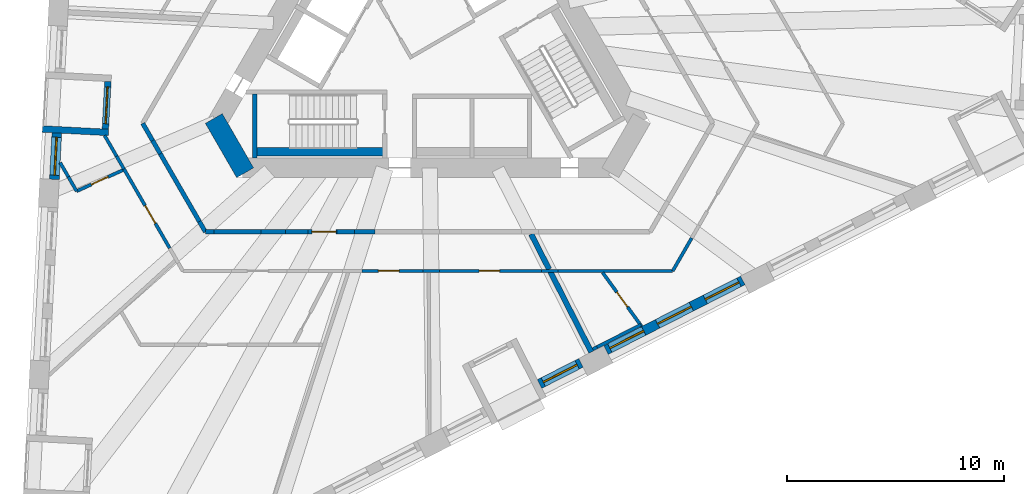
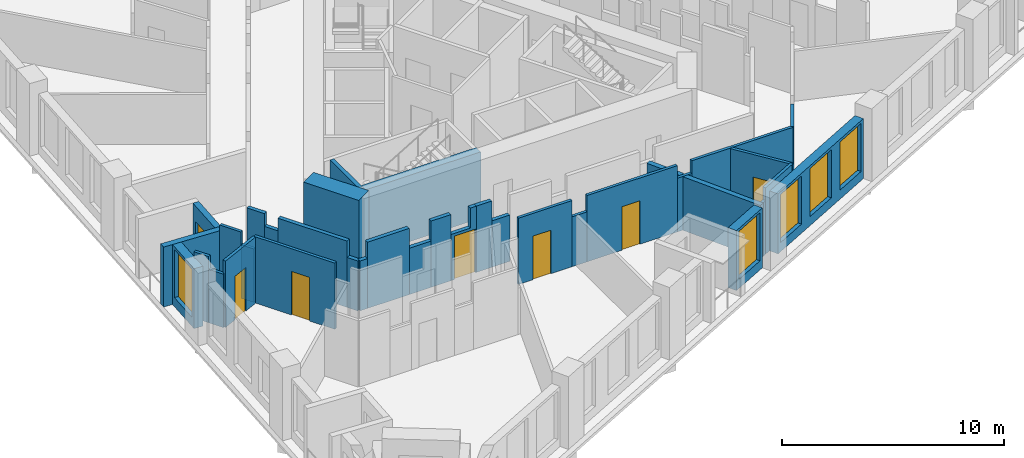
# One storey, part 3 of 12: 36 walls, 7 doors, 5 windows, 12 openings.
"""IFC4 building model written with IfcOpenShell, lengths in metres."""

from ifc_helpers import new_model, si_unit, direction, frame, frame_2d, origin, place, context, subcontext, project, spatial, polyline, rectangle, outline, extrude, material, layer, layer_set, type_object, element, fill, save


model = new_model("IFC4")

# Units and contexts
model_context = context("Model", 3, precision=1e-05, world=origin(), true_north=direction((0.0, 1.0)))
body_context = subcontext(model_context, "Body", "Model", "MODEL_VIEW")
ifc_project = project(units=[si_unit("LENGTHUNIT", "METRE"), si_unit("AREAUNIT", "SQUARE_METRE"), si_unit("VOLUMEUNIT", "CUBIC_METRE"), si_unit("PLANEANGLEUNIT", "RADIAN"), si_unit("MASSUNIT", "GRAM", prefix="KILO")], contexts=[model_context])

# Site, building, storey
site_placement = place(None, origin())
site = spatial("IfcSite", under=ifc_project, at=site_placement, CompositionType="ELEMENT")
building_placement = place(site_placement, origin())
building = spatial("IfcBuilding", under=site, at=building_placement, Name="Tramontana Tower", CompositionType="ELEMENT")
storey_placement = place(building_placement, frame((0.0, 0.0, 129.60009765625)))
storey = spatial("IfcBuildingStorey", under=building, at=storey_placement, Name="L29", CompositionType="ELEMENT", Elevation=129.60009765625)

# Walls
ifc_material_1 = material(Name="Concrete 70 MPa", Category="concrete")
ifc_layer_1 = layer(ifc_material_1, 0.89990234375)
ifc_layer_set_1 = layer_set([ifc_layer_1], Name="Core wall 900 70 MPa")
wall_type_1 = type_object("IfcWallType", Name="Core wall 900 70 MPa", PredefinedType="SHEAR", material=ifc_layer_set_1)
wall_1_placement = place(storey_placement, frame((-9.8583984375, -4.02490234375, 0.0), z_axis=(0.0, 0.0, 1.0), x_axis=(0.500059191753, -0.865991226713, 0.0)))
element("IfcWall", 1, at=wall_1_placement, inside=storey, type_object=wall_type_1, Name="Core wall C2 L29", PredefinedType="SHEAR", context=body_context, shape_type="SweptSolid", body=[
    extrude(rectangle(XDim=2.886962890625, YDim=0.89990234375, at=frame_2d((1.443359375, 0.0))), origin(), (0.0, 0.0, 1.0), 4.0),
])
ifc_material_2 = material(Name="Blockwork", Category="masonry")
ifc_layer_2 = layer(ifc_material_2, 0.199951171875)
ifc_layer_set_2 = layer_set([ifc_layer_2], Name="ENTRY WALL 200")
wall_type_2 = type_object("IfcWallType", Name="ENTRY WALL 200", PredefinedType="SOLIDWALL", material=ifc_layer_set_2)
wall_2_placement = place(storey_placement, frame((-2.441162109375, -9.25, 0.0), z_axis=(0.0, 0.0, 1.0), x_axis=(-1.0, 0.0, 0.0)))
element("IfcWall", 2, at=wall_2_placement, inside=storey, type_object=wall_type_2, Name="Wall v30-ew2-5", PredefinedType="SOLIDWALL", context=body_context, shape_type="SweptSolid", body=[
    extrude(rectangle(XDim=0.943603515625, YDim=0.199951171875, at=frame_2d((0.4716796875, 0.0))), origin(), (0.0, 0.0, 1.0), 2.5498046875),
])
wall_3_placement = place(storey_placement, frame((-3.384765625, -9.25, 0.0), z_axis=(0.0, 0.0, 1.0), x_axis=(-1.0, 0.0, 0.0)))
element("IfcWall", 3, at=wall_3_placement, inside=storey, type_object=wall_type_2, Name="Wall v30-ew2-6", PredefinedType="SOLIDWALL", context=body_context, shape_type="SweptSolid", body=[
    extrude(rectangle(XDim=0.80078125, YDim=0.199951171875, at=frame_2d((0.400390625, 0.0))), origin(), (0.0, 0.0, 1.0), 3.64990234375),
])

# Wall, opening, door
wall_4_placement = place(storey_placement, frame((-5.522216796875, -9.25, 0.0), z_axis=(0.0, 0.0, 1.0), x_axis=(1.0, 0.0, 0.0)))
wall_4 = element("IfcWall", 4, at=wall_4_placement, inside=storey, type_object=wall_type_2, Name="Wall v30-ew2-7", PredefinedType="SOLIDWALL", context=body_context, shape_type="SweptSolid", body=[
    extrude(outline(polyline([(0.0, 0.0), (1.336669921875, 0.0), (1.336669921875, 3.64990234375), (1.0234375, 3.64990234375), (1.0234375, 2.5498046875), (0.0, 2.5498046875), (0.0, 0.0)])), frame((0.0, 0.10009765625, 0.0), z_axis=(0.0, -1.0, 0.0), x_axis=(1.0, 0.0, 0.0)), (0.0, 0.0, 1.0), 0.199951171875),
])
opening_1_placement = place(wall_4_placement, frame((0.186767578125, 0.0, 0.0)))
opening_1 = element("IfcOpeningElement", 5, at=opening_1_placement, cuts=wall_4, Name="Opening B3A-23", PredefinedType="OPENING", context=body_context, shape_type="SweptSolid", body=[
    extrude(rectangle(XDim=1.10009765625, YDim=2.39990234375, at=frame_2d((0.550048828125, 1.199951171875))), frame((0.0, 0.10986328125, 0.0), z_axis=(0.0, -1.0, 0.0), x_axis=(1.0, 0.0, 0.0)), (0.0, 0.0, 1.0), 0.219970703125),
])
ifc_material_3 = material(Name="Painted timber", Category="wood")
door_type_1 = type_object("IfcDoorType", Name="DOOR ENTRY 1100", OperationType="SINGLE_SWING_LEFT", PredefinedType="DOOR", material=ifc_material_3)
door_1_placement = place(opening_1_placement, origin())
door_1 = element("IfcDoor", 6, at=door_1_placement, inside=storey, type_object=door_type_1, Name="Door B3A-23", OperationType="SINGLE_SWING_LEFT", OverallHeight=2.39990234375, OverallWidth=1.10009765625, PredefinedType="DOOR", context=body_context, shape_type="SweptSolid", body=[
    extrude(rectangle(XDim=1.10009765625, YDim=2.39990234375, at=frame_2d((0.550048828125, 1.199951171875))), frame((0.0, 0.02490234375, 0.0), z_axis=(0.0, -1.0, 0.0), x_axis=(1.0, 0.0, 0.0)), (0.0, 0.0, 1.0), 0.050048828125),
])
fill(opening_1, door_1)

# Walls
wall_5_placement = place(storey_placement, frame((-5.522216796875, -9.25, 0.0), z_axis=(0.0, 0.0, 1.0), x_axis=(-1.0, 0.0, 0.0)))
element("IfcWall", 7, at=wall_5_placement, inside=storey, type_object=wall_type_2, Name="Wall v30-ew2-8", PredefinedType="SOLIDWALL", context=body_context, shape_type="SweptSolid", body=[
    extrude(rectangle(XDim=1.0224609375, YDim=0.199951171875, at=frame_2d((0.51123046875, 0.0))), origin(), (0.0, 0.0, 1.0), 3.64990234375),
])
wall_6_placement = place(storey_placement, frame((-6.544677734375, -9.25, 0.0), z_axis=(0.0, 0.0, 1.0), x_axis=(-1.0, 0.0, 0.0)))
element("IfcWall", 8, at=wall_6_placement, inside=storey, type_object=wall_type_2, Name="Wall v30-ew2-9", PredefinedType="SOLIDWALL", context=body_context, shape_type="SweptSolid", body=[
    extrude(rectangle(XDim=1.13525390625, YDim=0.199951171875, at=frame_2d((0.567626953125, 0.0))), origin(), (0.0, 0.0, 1.0), 2.5498046875),
])
wall_7_placement = place(storey_placement, frame((-7.679931640625, -9.25, 0.0), z_axis=(0.0, 0.0, 1.0), x_axis=(-1.0, 0.0, 0.0)))
element("IfcWall", 9, at=wall_7_placement, inside=storey, type_object=wall_type_2, Name="Wall v30-ew2-10", PredefinedType="SOLIDWALL", context=body_context, shape_type="SweptSolid", body=[
    extrude(rectangle(XDim=2.1787109375, YDim=0.199951171875, at=frame_2d((1.08935546875, 0.0))), origin(), (0.0, 0.0, 1.0), 3.64990234375),
])
wall_8_placement = place(storey_placement, frame((-9.858642578125, -9.25, 0.0), z_axis=(0.0, 0.0, 1.0), x_axis=(-1.0, 0.0, 0.0)))
element("IfcWall", 10, at=wall_8_placement, inside=storey, type_object=wall_type_2, Name="Wall v30-ew2-11", PredefinedType="SOLIDWALL", context=body_context, shape_type="SweptSolid", body=[
    extrude(rectangle(XDim=0.389404296875, YDim=0.199951171875, at=frame_2d((0.19482421875, 0.0))), origin(), (0.0, 0.0, 1.0), 2.75),
])
wall_9_placement = place(storey_placement, frame((-10.248046875, -9.25, 0.0), z_axis=(0.0, 0.0, 1.0), x_axis=(-0.499887958344, 0.866090081402, 0.0)))
element("IfcWall", 11, at=wall_9_placement, inside=storey, type_object=wall_type_2, Name="Wall v30-ew3-0", PredefinedType="SOLIDWALL", context=body_context, shape_type="SweptSolid", body=[
    extrude(rectangle(XDim=0.553466796875, YDim=0.199951171875, at=frame_2d((0.27685546875, 0.0))), origin(), (0.0, 0.0, 1.0), 2.75),
])
wall_10_placement = place(storey_placement, frame((-10.524658203125, -8.770751953125, 0.0), z_axis=(0.0, 0.0, 1.0), x_axis=(-0.500031425827, 0.866007259314, 0.0)))
element("IfcWall", 12, at=wall_10_placement, inside=storey, type_object=wall_type_2, Name="Wall v30-ew3-1", PredefinedType="SOLIDWALL", context=body_context, shape_type="SweptSolid", body=[
    extrude(rectangle(XDim=3.602294921875, YDim=0.199951171875, at=frame_2d((1.80126953125, 0.0))), origin(), (0.0, 0.0, 1.0), 3.64990234375),
])
wall_11_placement = place(storey_placement, frame((-12.325927734375, -5.651123046875, 0.0), z_axis=(0.0, 0.0, 1.0), x_axis=(-0.499752435038, 0.86616828831, 0.0)))
element("IfcWall", 13, at=wall_11_placement, inside=storey, type_object=wall_type_2, Name="Wall v30-ew3-2", PredefinedType="SOLIDWALL", context=body_context, shape_type="SweptSolid", body=[
    extrude(rectangle(XDim=0.704833984375, YDim=0.199951171875, at=frame_2d((0.3525390625, 0.0))), origin(), (0.0, 0.0, 1.0), 2.949951171875),
])
wall_12_placement = place(storey_placement, frame((-12.67822265625, -5.04052734375, 0.0), z_axis=(0.0, 0.0, 1.0), x_axis=(-0.500108273885, 0.865962882802, 0.0)))
element("IfcWall", 14, at=wall_12_placement, inside=storey, type_object=wall_type_2, Name="Wall v30-ew3-3", PredefinedType="SOLIDWALL", context=body_context, shape_type="SweptSolid", body=[
    extrude(rectangle(XDim=0.912841796875, YDim=0.199951171875, at=frame_2d((0.45654296875, 0.0))), origin(), (0.0, 0.0, 1.0), 3.64990234375),
])

# Wall, opening, window
ifc_material_4 = material(Name="Precast concrete 60 MPa", Category="concrete")
ifc_layer_3 = layer(ifc_material_4, 0.449951171875)
ifc_layer_set_3 = layer_set([ifc_layer_3], Name="Precast concrete 60 MPa, 450 mm")
wall_type_3 = type_object("IfcWallType", Name="EW1 Stone-faced precast wall 450", PredefinedType="SOLIDWALL", material=ifc_layer_set_3)
wall_13_placement = place(storey_placement, frame((-17.093994140625, -4.69287109375, 0.0), z_axis=(0.0, 0.0, 1.0), x_axis=(-0.052355281723, -0.998628521762, 0.0)))
wall_13 = element("IfcWall", 15, at=wall_13_placement, inside=storey, type_object=wall_type_3, Name="External wall L29 face 0 bay 4", PredefinedType="SOLIDWALL", context=body_context, shape_type="SweptSolid", body=[
    extrude(rectangle(XDim=2.140380859375, YDim=0.449951171875, at=frame_2d((1.0703125, 0.0))), origin(), (0.0, 0.0, 1.0), 3.2998046875),
])
opening_2_placement = place(wall_13_placement, frame((0.1953125, 0.0, 0.5)))
opening_2 = element("IfcOpeningElement", 16, at=opening_2_placement, cuts=wall_13, Name="Opening M2", PredefinedType="OPENING", context=body_context, shape_type="SweptSolid", body=[
    extrude(rectangle(XDim=1.75, YDim=2.64990234375, at=frame_2d((0.875, 1.324951171875))), frame((0.0, 0.23486328125, 0.0), z_axis=(0.0, -1.0, 0.0), x_axis=(1.0, 0.0, 0.0)), (0.0, 0.0, 1.0), 0.469970703125),
])
ifc_material_5 = material(Name="Aluminum frame, double glazing unit", Category="aluminium")
window_type = type_object("IfcWindowType", Name="M2 Window 1.75 x 2.65", PartitioningType="SINGLE_PANEL", PredefinedType="WINDOW", material=ifc_material_5)
window_1_placement = place(opening_2_placement, origin())
window_1 = element("IfcWindow", 17, at=window_1_placement, inside=storey, type_object=window_type, Name="Window M2 L29 face 0 module 12", OverallHeight=2.64990234375, OverallWidth=1.75, PartitioningType="SINGLE_PANEL", PredefinedType="WINDOW", context=body_context, shape_type="SweptSolid", body=[
    extrude(rectangle(XDim=1.75, YDim=2.64990234375, at=frame_2d((0.875, 1.324951171875))), frame((0.0, 0.030029296875, 0.0), z_axis=(0.0, -1.0, 0.0), x_axis=(1.0, 0.0, 0.0)), (0.0, 0.0, 1.0), 0.06005859375),
])
fill(opening_2, window_1)

wall_14_placement = place(storey_placement, frame((5.152099609375, -16.258056640625, 0.0), z_axis=(0.0, 0.0, 1.0), x_axis=(0.891025569559, 0.453953119156, 0.0)))
wall_14 = element("IfcWall", 18, at=wall_14_placement, inside=storey, type_object=wall_type_3, Name="External wall L29 face 1 bay 3", PredefinedType="SOLIDWALL", context=body_context, shape_type="SweptSolid", body=[
    extrude(rectangle(XDim=2.140380859375, YDim=0.449951171875, at=frame_2d((1.0703125, 0.0))), origin(), (0.0, 0.0, 1.0), 3.2998046875),
])
opening_3_placement = place(wall_14_placement, frame((0.1953125, 0.0, 0.5)))
opening_3 = element("IfcOpeningElement", 19, at=opening_3_placement, cuts=wall_14, Name="Opening M2", PredefinedType="OPENING", context=body_context, shape_type="SweptSolid", body=[
    extrude(rectangle(XDim=1.75, YDim=2.64990234375, at=frame_2d((0.875, 1.324951171875))), frame((0.0, 0.23486328125, 0.0), z_axis=(0.0, -1.0, 0.0), x_axis=(1.0, 0.0, 0.0)), (0.0, 0.0, 1.0), 0.469970703125),
])
window_2_placement = place(opening_3_placement, origin())
window_2 = element("IfcWindow", 20, at=window_2_placement, inside=storey, type_object=window_type, Name="Window M2 L29 face 1 module 9", OverallHeight=2.64990234375, OverallWidth=1.75, PartitioningType="SINGLE_PANEL", PredefinedType="WINDOW", context=body_context, shape_type="SweptSolid", body=[
    extrude(rectangle(XDim=1.75, YDim=2.64990234375, at=frame_2d((0.875, 1.324951171875))), frame((0.0, 0.030029296875, 0.0), z_axis=(0.0, -1.0, 0.0), x_axis=(1.0, 0.0, 0.0)), (0.0, 0.0, 1.0), 0.06005859375),
])
fill(opening_3, window_2)

# Wall, openings, windows
wall_15_placement = place(storey_placement, frame((8.217529296875, -14.696044921875, 0.0), z_axis=(0.0, 0.0, 1.0), x_axis=(0.891004189171, 0.45399508244, 0.0)))
wall_15 = element("IfcWall", 21, at=wall_15_placement, inside=storey, type_object=wall_type_3, Name="External wall L29 face 1 bay 4", PredefinedType="SOLIDWALL", context=body_context, shape_type="SweptSolid", body=[
    extrude(rectangle(XDim=7.071533203125, YDim=0.449951171875, at=frame_2d((3.53564453125, 0.0))), origin(), (0.0, 0.0, 1.0), 3.2998046875),
])
opening_4_placement = place(wall_15_placement, frame((0.1953125, 0.0, 0.5)))
opening_4 = element("IfcOpeningElement", 22, at=opening_4_placement, cuts=wall_15, Name="Opening M2", PredefinedType="OPENING", context=body_context, shape_type="SweptSolid", body=[
    extrude(rectangle(XDim=1.75, YDim=2.64990234375, at=frame_2d((0.875, 1.324951171875))), frame((0.0, 0.23486328125, 0.0), z_axis=(0.0, -1.0, 0.0), x_axis=(1.0, 0.0, 0.0)), (0.0, 0.0, 1.0), 0.469970703125),
])
opening_5_placement = place(wall_15_placement, frame((2.660888671875, 0.0, 0.5)))
opening_5 = element("IfcOpeningElement", 23, at=opening_5_placement, cuts=wall_15, Name="Opening M2", PredefinedType="OPENING", context=body_context, shape_type="SweptSolid", body=[
    extrude(rectangle(XDim=1.75, YDim=2.64990234375, at=frame_2d((0.875, 1.324951171875))), frame((0.0, 0.23486328125, 0.0), z_axis=(0.0, -1.0, 0.0), x_axis=(1.0, 0.0, 0.0)), (0.0, 0.0, 1.0), 0.469970703125),
])
opening_6_placement = place(wall_15_placement, frame((5.126220703125, 0.0, 0.5)))
opening_6 = element("IfcOpeningElement", 24, at=opening_6_placement, cuts=wall_15, Name="Opening M2", PredefinedType="OPENING", context=body_context, shape_type="SweptSolid", body=[
    extrude(rectangle(XDim=1.75, YDim=2.64990234375, at=frame_2d((0.875, 1.324951171875))), frame((0.0, 0.23486328125, 0.0), z_axis=(0.0, -1.0, 0.0), x_axis=(1.0, 0.0, 0.0)), (0.0, 0.0, 1.0), 0.469970703125),
])
window_3_placement = place(opening_4_placement, origin())
window_3 = element("IfcWindow", 25, at=window_3_placement, inside=storey, type_object=window_type, Name="Window M2 L29 face 1 module 10", OverallHeight=2.64990234375, OverallWidth=1.75, PartitioningType="SINGLE_PANEL", PredefinedType="WINDOW", context=body_context, shape_type="SweptSolid", body=[
    extrude(rectangle(XDim=1.75, YDim=2.64990234375, at=frame_2d((0.875, 1.324951171875))), frame((0.0, 0.030029296875, 0.0), z_axis=(0.0, -1.0, 0.0), x_axis=(1.0, 0.0, 0.0)), (0.0, 0.0, 1.0), 0.06005859375),
])
fill(opening_4, window_3)
window_4_placement = place(opening_5_placement, origin())
window_4 = element("IfcWindow", 26, at=window_4_placement, inside=storey, type_object=window_type, Name="Window M2 L29 face 1 module 11", OverallHeight=2.64990234375, OverallWidth=1.75, PartitioningType="SINGLE_PANEL", PredefinedType="WINDOW", context=body_context, shape_type="SweptSolid", body=[
    extrude(rectangle(XDim=1.75, YDim=2.64990234375, at=frame_2d((0.875, 1.324951171875))), frame((0.0, 0.030029296875, 0.0), z_axis=(0.0, -1.0, 0.0), x_axis=(1.0, 0.0, 0.0)), (0.0, 0.0, 1.0), 0.06005859375),
])
fill(opening_5, window_4)
window_5_placement = place(opening_6_placement, origin())
window_5 = element("IfcWindow", 27, at=window_5_placement, inside=storey, type_object=window_type, Name="Window M2 L29 face 1 module 12", OverallHeight=2.64990234375, OverallWidth=1.75, PartitioningType="SINGLE_PANEL", PredefinedType="WINDOW", context=body_context, shape_type="SweptSolid", body=[
    extrude(rectangle(XDim=1.75, YDim=2.64990234375, at=frame_2d((0.875, 1.324951171875))), frame((0.0, 0.030029296875, 0.0), z_axis=(0.0, -1.0, 0.0), x_axis=(1.0, 0.0, 0.0)), (0.0, 0.0, 1.0), 0.06005859375),
])
fill(opening_6, window_5)

# Wall, opening, door
ifc_material_6 = material(Name="Precast concrete 60 MPa", Category="concrete")
ifc_layer_4 = layer(ifc_material_6, 0.300048828125)
ifc_layer_set_4 = layer_set([ifc_layer_4], Name="LW1 Stone-faced loggia wall 300")
wall_type_4 = type_object("IfcWallType", Name="LW1 Stone-faced loggia wall 300", PredefinedType="SOLIDWALL", material=ifc_layer_set_4)
wall_16_placement = place(storey_placement, frame((-14.74169921875, -2.322265625, 0.0), z_axis=(0.0, 0.0, 1.0), x_axis=(-0.052383338583, -0.998627050424, 0.0)))
wall_16 = element("IfcWall", 28, at=wall_16_placement, inside=storey, type_object=wall_type_4, Name="Loggia wall L29 G3S0.10", PredefinedType="SOLIDWALL", context=body_context, shape_type="SweptSolid", body=[
    extrude(rectangle(XDim=2.1904296875, YDim=0.300048828125, at=frame_2d((1.09521484375, 0.0))), origin(), (0.0, 0.0, 1.0), 3.2998046875),
])
opening_7_placement = place(wall_16_placement, frame((0.245361328125, 0.0, 0.0)))
opening_7 = element("IfcOpeningElement", 29, at=opening_7_placement, cuts=wall_16, Name="Opening BD-3S0-10", PredefinedType="OPENING", context=body_context, shape_type="SweptSolid", body=[
    extrude(rectangle(XDim=1.699951171875, YDim=2.449951171875, at=frame_2d((0.85009765625, 1.22509765625))), frame((0.0, 0.159912109375, 0.0), z_axis=(0.0, -1.0, 0.0), x_axis=(1.0, 0.0, 0.0)), (0.0, 0.0, 1.0), 0.320068359375),
])
ifc_material_7 = material(Name="Aluminum frame, double glazing unit", Category="aluminium")
door_type_2 = type_object("IfcDoorType", Name="BD2 Sliding door 1.7 x 2.45", OperationType="SLIDING_TO_LEFT", PredefinedType="DOOR", material=ifc_material_7)
door_2_placement = place(opening_7_placement, origin())
door_2 = element("IfcDoor", 30, at=door_2_placement, inside=storey, type_object=door_type_2, Name="Loggia door L29 G3S0.10", OperationType="SLIDING_TO_LEFT", OverallHeight=2.449951171875, OverallWidth=1.699951171875, PredefinedType="DOOR", context=body_context, shape_type="SweptSolid", body=[
    extrude(rectangle(XDim=1.699951171875, YDim=2.449951171875, at=frame_2d((0.85009765625, 1.22509765625))), frame((0.0, 0.02490234375, 0.0), z_axis=(0.0, -1.0, 0.0), x_axis=(1.0, 0.0, 0.0)), (0.0, 0.0, 1.0), 0.050048828125),
])
fill(opening_7, door_2)

# Walls
wall_17_placement = place(storey_placement, frame((-17.76025390625, -4.5078125, 0.0), z_axis=(0.0, 0.0, 1.0), x_axis=(0.998633044326, -0.052268946613, 0.0)))
element("IfcWall", 31, at=wall_17_placement, inside=storey, type_object=wall_type_4, Name="Loggia return L29 G3S0.10b", PredefinedType="SOLIDWALL", context=body_context, shape_type="SweptSolid", body=[
    extrude(rectangle(XDim=3.050048828125, YDim=0.300048828125, at=frame_2d((1.52490234375, 0.0))), origin(), (0.0, 0.0, 1.0), 3.2998046875),
])
ifc_material_8 = material(Name="Gypsum board partition")
ifc_layer_5 = layer(ifc_material_8, 0.14990234375)
ifc_layer_set_5 = layer_set([ifc_layer_5], Name="PARTITION 150")
wall_type_5 = type_object("IfcWallType", Name="PARTITION 150", PredefinedType="PARTITIONING", material=ifc_layer_set_5)
wall_18_placement = place(storey_placement, frame((-16.1806640625, -7.374267578125, 0.0), z_axis=(0.0, 0.0, 1.0), x_axis=(-0.499999897272, 0.866025463095, 0.0)))
element("IfcWall", 32, at=wall_18_placement, inside=storey, type_object=wall_type_5, Name="Wall v30-pw01-0", PredefinedType="PARTITIONING", context=body_context, shape_type="SweptSolid", body=[
    extrude(rectangle(XDim=0.76171875, YDim=0.14990234375, at=frame_2d((0.380859375, 0.0))), origin(), (0.0, 0.0, 1.0), 2.949951171875),
])
wall_19_placement = place(storey_placement, frame((-16.5615234375, -6.714599609375, 0.0), z_axis=(0.0, 0.0, 1.0), x_axis=(-0.499917764341, 0.866072877359, 0.0)))
element("IfcWall", 33, at=wall_19_placement, inside=storey, type_object=wall_type_5, Name="Wall v30-pw01-1", PredefinedType="PARTITIONING", context=body_context, shape_type="SweptSolid", body=[
    extrude(rectangle(XDim=0.757568359375, YDim=0.14990234375, at=frame_2d((0.37890625, 0.0))), origin(), (0.0, 0.0, 1.0), 3.64990234375),
])

# Wall, opening, door
wall_20_placement = place(storey_placement, frame((-16.1806640625, -7.374267578125, 0.0), z_axis=(0.0, 0.0, 1.0), x_axis=(0.909943631366, 0.414731946848, 0.0)))
wall_20 = element("IfcWall", 34, at=wall_20_placement, inside=storey, type_object=wall_type_5, Name="Wall v30-pw02", PredefinedType="PARTITIONING", context=body_context, shape_type="SweptSolid", body=[
    extrude(rectangle(XDim=2.3359375, YDim=0.14990234375, at=frame_2d((1.16796875, 0.0))), origin(), (0.0, 0.0, 1.0), 3.64990234375),
])
opening_8_placement = place(wall_20_placement, frame((0.742919921875, 0.0, 0.0)))
opening_8 = element("IfcOpeningElement", 35, at=opening_8_placement, cuts=wall_20, Name="Opening B3A-12", PredefinedType="OPENING", context=body_context, shape_type="SweptSolid", body=[
    extrude(rectangle(XDim=0.85009765625, YDim=2.39990234375, at=frame_2d((0.425048828125, 1.199951171875))), frame((0.0, 0.0849609375, 0.0), z_axis=(0.0, -1.0, 0.0), x_axis=(1.0, 0.0, 0.0)), (0.0, 0.0, 1.0), 0.169921875),
])
ifc_material_9 = material(Name="Painted timber", Category="wood")
door_type_3 = type_object("IfcDoorType", Name="DOOR BATH 850", OperationType="SINGLE_SWING_LEFT", PredefinedType="DOOR", material=ifc_material_9)
door_3_placement = place(opening_8_placement, origin())
door_3 = element("IfcDoor", 36, at=door_3_placement, inside=storey, type_object=door_type_3, Name="Door B3A-12", OperationType="SINGLE_SWING_RIGHT", OverallHeight=2.39990234375, OverallWidth=0.85009765625, PredefinedType="DOOR", context=body_context, shape_type="SweptSolid", body=[
    extrude(rectangle(XDim=0.85009765625, YDim=2.39990234375, at=frame_2d((0.425048828125, 1.199951171875))), frame((0.0, 0.02490234375, 0.0), z_axis=(0.0, -1.0, 0.0), x_axis=(1.0, 0.0, 0.0)), (0.0, 0.0, 1.0), 0.050048828125),
])
fill(opening_8, door_3)

wall_21_placement = place(storey_placement, frame((-11.894287109375, -9.99853515625, 0.0), z_axis=(0.0, 0.0, 1.0), x_axis=(-0.500000251441, 0.866025258615, 0.0)))
wall_21 = element("IfcWall", 37, at=wall_21_placement, inside=storey, type_object=wall_type_5, Name="Wall v30-pw05-2", PredefinedType="PARTITIONING", context=body_context, shape_type="SweptSolid", body=[
    extrude(rectangle(XDim=4.20947265625, YDim=0.14990234375, at=frame_2d((2.104736328125, 0.0))), origin(), (0.0, 0.0, 1.0), 3.64990234375),
])
opening_9_placement = place(wall_21_placement, frame((1.312744140625, 0.0, 0.0)))
opening_9 = element("IfcOpeningElement", 38, at=opening_9_placement, cuts=wall_21, Name="Opening B3A-09", PredefinedType="OPENING", context=body_context, shape_type="SweptSolid", body=[
    extrude(rectangle(XDim=0.949951171875, YDim=2.39990234375, at=frame_2d((0.47509765625, 1.199951171875))), frame((0.0, 0.0849609375, 0.0), z_axis=(0.0, -1.0, 0.0), x_axis=(1.0, 0.0, 0.0)), (0.0, 0.0, 1.0), 0.169921875),
])
ifc_material_10 = material(Name="Painted timber", Category="wood")
door_type_4 = type_object("IfcDoorType", Name="DOOR ROOM 950", OperationType="SINGLE_SWING_LEFT", PredefinedType="DOOR", material=ifc_material_10)
door_4_placement = place(opening_9_placement, origin())
door_4 = element("IfcDoor", 39, at=door_4_placement, inside=storey, type_object=door_type_4, Name="Door B3A-09", OperationType="SINGLE_SWING_LEFT", OverallHeight=2.39990234375, OverallWidth=0.949951171875, PredefinedType="DOOR", context=body_context, shape_type="SweptSolid", body=[
    extrude(rectangle(XDim=0.949951171875, YDim=2.39990234375, at=frame_2d((0.47509765625, 1.199951171875))), frame((0.0, 0.02490234375, 0.0), z_axis=(0.0, -1.0, 0.0), x_axis=(1.0, 0.0, 0.0)), (0.0, 0.0, 1.0), 0.050048828125),
])
fill(opening_9, door_4)

# Walls
wall_22_placement = place(storey_placement, frame((-13.9990234375, -6.35302734375, 0.0), z_axis=(0.0, 0.0, 1.0), x_axis=(-0.499846793097, 0.866113839764, 0.0)))
element("IfcWall", 40, at=wall_22_placement, inside=storey, type_object=wall_type_5, Name="Wall v30-pw05-3", PredefinedType="PARTITIONING", context=body_context, shape_type="SweptSolid", body=[
    extrude(rectangle(XDim=0.679931640625, YDim=0.14990234375, at=frame_2d((0.33984375, 0.0))), origin(), (0.0, 0.0, 1.0), 2.949951171875),
])
wall_23_placement = place(storey_placement, frame((-14.3388671875, -5.76416015625, 0.0), z_axis=(0.0, 0.0, 1.0), x_axis=(-0.500111757231, 0.865960871102, 0.0)))
element("IfcWall", 41, at=wall_23_placement, inside=storey, type_object=wall_type_5, Name="Wall v30-pw05-4", PredefinedType="PARTITIONING", context=body_context, shape_type="SweptSolid", body=[
    extrude(rectangle(XDim=1.103759765625, YDim=0.14990234375, at=frame_2d((0.5517578125, 0.0))), origin(), (0.0, 0.0, 1.0), 3.64990234375),
])

# Wall, opening, door
wall_24_placement = place(storey_placement, frame((9.857177734375, -13.608154296875, 0.0), z_axis=(0.0, 0.0, 1.0), x_axis=(-0.586655693692, 0.809836463157, 0.0)))
wall_24 = element("IfcWall", 42, at=wall_24_placement, inside=storey, type_object=wall_type_5, Name="Wall v30-pw24", PredefinedType="PARTITIONING", context=body_context, shape_type="SweptSolid", body=[
    extrude(rectangle(XDim=3.066162109375, YDim=0.14990234375, at=frame_2d((1.533203125, 0.0))), origin(), (0.0, 0.0, 1.0), 3.64990234375),
])
opening_10_placement = place(wall_24_placement, frame((1.108154296875, 0.0, 0.0)))
opening_10 = element("IfcOpeningElement", 43, at=opening_10_placement, cuts=wall_24, Name="Opening B3A-17", PredefinedType="OPENING", context=body_context, shape_type="SweptSolid", body=[
    extrude(rectangle(XDim=0.85009765625, YDim=2.39990234375, at=frame_2d((0.425048828125, 1.199951171875))), frame((0.0, 0.0849609375, 0.0), z_axis=(0.0, -1.0, 0.0), x_axis=(1.0, 0.0, 0.0)), (0.0, 0.0, 1.0), 0.169921875),
])
door_5_placement = place(opening_10_placement, origin())
door_5 = element("IfcDoor", 44, at=door_5_placement, inside=storey, type_object=door_type_3, Name="Door B3A-17", OperationType="SINGLE_SWING_LEFT", OverallHeight=2.39990234375, OverallWidth=0.85009765625, PredefinedType="DOOR", context=body_context, shape_type="SweptSolid", body=[
    extrude(rectangle(XDim=0.85009765625, YDim=2.39990234375, at=frame_2d((0.425048828125, 1.199951171875))), frame((0.0, 0.02490234375, 0.0), z_axis=(0.0, -1.0, 0.0), x_axis=(1.0, 0.0, 0.0)), (0.0, 0.0, 1.0), 0.050048828125),
])
fill(opening_10, door_5)

# Walls
wall_25_placement = place(storey_placement, frame((9.818359375, -13.532470703125, 0.0), z_axis=(0.0, 0.0, 1.0), x_axis=(-0.890998403094, -0.454006437932, 0.0)))
element("IfcWall", 45, at=wall_25_placement, inside=storey, type_object=wall_type_5, Name="Wall v30-pw27-0", PredefinedType="PARTITIONING", context=body_context, shape_type="SweptSolid", body=[
    extrude(rectangle(XDim=2.26708984375, YDim=0.14990234375, at=frame_2d((1.133544921875, 0.0))), origin(), (0.0, 0.0, 1.0), 3.64990234375),
])
wall_26_placement = place(storey_placement, frame((7.79833984375, -14.561767578125, 0.0), z_axis=(0.0, 0.0, 1.0), x_axis=(-0.890951748139, -0.454097987761, 0.0)))
element("IfcWall", 46, at=wall_26_placement, inside=storey, type_object=wall_type_5, Name="Wall v30-pw27-1", PredefinedType="PARTITIONING", context=body_context, shape_type="SweptSolid", body=[
    extrude(rectangle(XDim=0.21240234375, YDim=0.14990234375, at=frame_2d((0.106201171875, 0.0))), origin(), (0.0, 0.0, 1.0), 2.949951171875),
])
wall_27_placement = place(storey_placement, frame((11.287109375, -11.050048828125, 0.0), z_axis=(0.0, 0.0, 1.0), x_axis=(-1.0, 0.0, 0.0)))
element("IfcWall", 47, at=wall_27_placement, inside=storey, type_object=wall_type_5, Name="Wall v30-pw28-0", PredefinedType="PARTITIONING", context=body_context, shape_type="SweptSolid", body=[
    extrude(rectangle(XDim=5.278076171875, YDim=0.14990234375, at=frame_2d((2.63916015625, 0.0))), origin(), (0.0, 0.0, 1.0), 3.64990234375),
])
wall_28_placement = place(storey_placement, frame((6.009033203125, -11.050048828125, 0.0), z_axis=(0.0, 0.0, 1.0), x_axis=(-1.0, 0.0, 0.0)))
element("IfcWall", 48, at=wall_28_placement, inside=storey, type_object=wall_type_5, Name="Wall v30-pw28-1", PredefinedType="PARTITIONING", context=body_context, shape_type="SweptSolid", body=[
    extrude(rectangle(XDim=0.757568359375, YDim=0.14990234375, at=frame_2d((0.37890625, 0.0))), origin(), (0.0, 0.0, 1.0), 2.949951171875),
])

# Wall, opening, door
wall_29_placement = place(storey_placement, frame((5.25146484375, -11.050048828125, 0.0), z_axis=(0.0, 0.0, 1.0), x_axis=(-1.0, 0.0, 0.0)))
wall_29 = element("IfcWall", 49, at=wall_29_placement, inside=storey, type_object=wall_type_5, Name="Wall v30-pw28-2", PredefinedType="PARTITIONING", context=body_context, shape_type="SweptSolid", body=[
    extrude(rectangle(XDim=4.7001953125, YDim=0.14990234375, at=frame_2d((2.35009765625, 0.0))), origin(), (0.0, 0.0, 1.0), 3.64990234375),
])
opening_11_placement = place(wall_29_placement, frame((1.93994140625, 0.0, 0.0)))
opening_11 = element("IfcOpeningElement", 50, at=opening_11_placement, cuts=wall_29, Name="Opening B3A-11", PredefinedType="OPENING", context=body_context, shape_type="SweptSolid", body=[
    extrude(rectangle(XDim=0.949951171875, YDim=2.39990234375, at=frame_2d((0.47509765625, 1.199951171875))), frame((0.0, 0.0849609375, 0.0), z_axis=(0.0, -1.0, 0.0), x_axis=(1.0, 0.0, 0.0)), (0.0, 0.0, 1.0), 0.169921875),
])
door_6_placement = place(opening_11_placement, origin())
door_6 = element("IfcDoor", 51, at=door_6_placement, inside=storey, type_object=door_type_4, Name="Door B3A-11", OperationType="SINGLE_SWING_LEFT", OverallHeight=2.39990234375, OverallWidth=0.949951171875, PredefinedType="DOOR", context=body_context, shape_type="SweptSolid", body=[
    extrude(rectangle(XDim=0.949951171875, YDim=2.39990234375, at=frame_2d((0.47509765625, 1.199951171875))), frame((0.0, 0.02490234375, 0.0), z_axis=(0.0, -1.0, 0.0), x_axis=(1.0, 0.0, 0.0)), (0.0, 0.0, 1.0), 0.050048828125),
])
fill(opening_11, door_6)

# Wall
wall_30_placement = place(storey_placement, frame((0.55126953125, -11.050048828125, 0.0), z_axis=(0.0, 0.0, 1.0), x_axis=(-1.0, 0.0, 0.0)))
element("IfcWall", 52, at=wall_30_placement, inside=storey, type_object=wall_type_5, Name="Wall v30-pw28-3", PredefinedType="PARTITIONING", context=body_context, shape_type="SweptSolid", body=[
    extrude(rectangle(XDim=0.775146484375, YDim=0.14990234375, at=frame_2d((0.3876953125, 0.0))), origin(), (0.0, 0.0, 1.0), 2.75),
])

# Wall, opening, door
wall_31_placement = place(storey_placement, frame((-0.223876953125, -11.050048828125, 0.0), z_axis=(0.0, 0.0, 1.0), x_axis=(-1.0, 0.0, 0.0)))
wall_31 = element("IfcWall", 53, at=wall_31_placement, inside=storey, type_object=wall_type_5, Name="Wall v30-pw28-4", PredefinedType="PARTITIONING", context=body_context, shape_type="SweptSolid", body=[
    extrude(rectangle(XDim=2.797119140625, YDim=0.14990234375, at=frame_2d((1.3984375, 0.0))), origin(), (0.0, 0.0, 1.0), 3.64990234375),
])
opening_12_placement = place(wall_31_placement, frame((1.099853515625, 0.0, 0.0)))
opening_12 = element("IfcOpeningElement", 54, at=opening_12_placement, cuts=wall_31, Name="Opening B3A-10", PredefinedType="OPENING", context=body_context, shape_type="SweptSolid", body=[
    extrude(rectangle(XDim=0.949951171875, YDim=2.39990234375, at=frame_2d((0.47509765625, 1.199951171875))), frame((0.0, 0.0849609375, 0.0), z_axis=(0.0, -1.0, 0.0), x_axis=(1.0, 0.0, 0.0)), (0.0, 0.0, 1.0), 0.169921875),
])
door_7_placement = place(opening_12_placement, origin())
door_7 = element("IfcDoor", 55, at=door_7_placement, inside=storey, type_object=door_type_4, Name="Door B3A-10", OperationType="SINGLE_SWING_RIGHT", OverallHeight=2.39990234375, OverallWidth=0.949951171875, PredefinedType="DOOR", context=body_context, shape_type="SweptSolid", body=[
    extrude(rectangle(XDim=0.949951171875, YDim=2.39990234375, at=frame_2d((0.47509765625, 1.199951171875))), frame((0.0, 0.02490234375, 0.0), z_axis=(0.0, -1.0, 0.0), x_axis=(1.0, 0.0, 0.0)), (0.0, 0.0, 1.0), 0.050048828125),
])
fill(opening_12, door_7)

# Walls
wall_32_placement = place(storey_placement, frame((12.161376953125, -9.535888671875, 0.0), z_axis=(0.0, 0.0, 1.0), x_axis=(-0.500028655776, -0.866008858732, 0.0)))
element("IfcWall", 56, at=wall_32_placement, inside=storey, type_object=wall_type_5, Name="Wall v30-pw32-4", PredefinedType="PARTITIONING", context=body_context, shape_type="SweptSolid", body=[
    extrude(rectangle(XDim=1.74853515625, YDim=0.14990234375, at=frame_2d((0.874267578125, 0.0))), origin(), (0.0, 0.0, 1.0), 3.64990234375),
])
ifc_material_11 = material(Name="Blockwork", Category="masonry")
ifc_layer_6 = layer(ifc_material_11, 0.25)
ifc_layer_set_6 = layer_set([ifc_layer_6], Name="PARTY WALL 250")
wall_type_6 = type_object("IfcWallType", Name="PARTY WALL 250", PredefinedType="SOLIDWALL", material=ifc_layer_set_6)
wall_33_placement = place(storey_placement, frame((4.76416015625, -9.35009765625, 0.0), z_axis=(0.0, 0.0, 1.0), x_axis=(0.454001993206, -0.891000667881, 0.0)))
element("IfcWall", 57, at=wall_33_placement, inside=storey, type_object=wall_type_6, Name="Wall v30-pw21-0", PredefinedType="SOLIDWALL", context=body_context, shape_type="SweptSolid", body=[
    extrude(rectangle(XDim=1.823486328125, YDim=0.25, at=frame_2d((0.91162109375, 0.0))), origin(), (0.0, 0.0, 1.0), 2.949951171875),
])
wall_34_placement = place(storey_placement, frame((5.645751953125, -11.080322265625, 0.0), z_axis=(0.0, 0.0, 1.0), x_axis=(0.453954763642, -0.891024731737, 0.0)))
element("IfcWall", 58, at=wall_34_placement, inside=storey, type_object=wall_type_6, Name="Wall v30-pw23-0", PredefinedType="SOLIDWALL", context=body_context, shape_type="SweptSolid", body=[
    extrude(rectangle(XDim=4.164306640625, YDim=0.25, at=frame_2d((2.08203125, 0.0))), origin(), (0.0, 0.0, 1.0), 2.949951171875),
])
ifc_material_12 = material(Name="Concrete 70 MPa", Category="concrete")
ifc_layer_7 = layer(ifc_material_12, 0.39990234375)
ifc_layer_set_7 = layer_set([ifc_layer_7], Name="Concrete 70 MPa, 400 mm")
wall_type_7 = type_object("IfcWallType", Name="RC SHAFT BACK WALL 400", PredefinedType="SOLIDWALL", material=ifc_layer_set_7)
wall_35_placement = place(storey_placement, frame((-8.080078125, -5.550048828125, 0.0), z_axis=(0.0, 0.0, 1.0), x_axis=(1.0, 0.0, 0.0)))
element("IfcWall", 59, at=wall_35_placement, inside=storey, type_object=wall_type_7, Name="Wall st2-back", PredefinedType="SOLIDWALL", context=body_context, shape_type="SweptSolid", body=[
    extrude(rectangle(XDim=6.2001953125, YDim=0.39990234375, at=frame_2d((3.10009765625, 0.0))), origin(), (0.0, 0.0, 1.0), 3.64990234375),
])
ifc_material_13 = material(Name="Concrete 70 MPa", Category="concrete")
ifc_layer_8 = layer(ifc_material_13, 0.199951171875)
ifc_layer_set_8 = layer_set([ifc_layer_8], Name="Concrete 70 MPa, 200 mm")
wall_type_8 = type_object("IfcWallType", Name="RC STAIR AND SHAFT WALL 200", PredefinedType="SOLIDWALL", material=ifc_layer_set_8)
wall_36_placement = place(storey_placement, frame((-7.97998046875, -2.89990234375, 0.0), z_axis=(0.0, 0.0, 1.0), x_axis=(0.0, -1.0, 0.0)))
element("IfcWall", 60, at=wall_36_placement, inside=storey, type_object=wall_type_8, Name="Wall st2-far", PredefinedType="SOLIDWALL", context=body_context, shape_type="SweptSolid", body=[
    extrude(rectangle(XDim=2.9501953125, YDim=0.199951171875, at=frame_2d((1.47509765625, 0.0))), origin(), (0.0, 0.0, 1.0), 3.64990234375),
])

save(model, "model.ifc")
